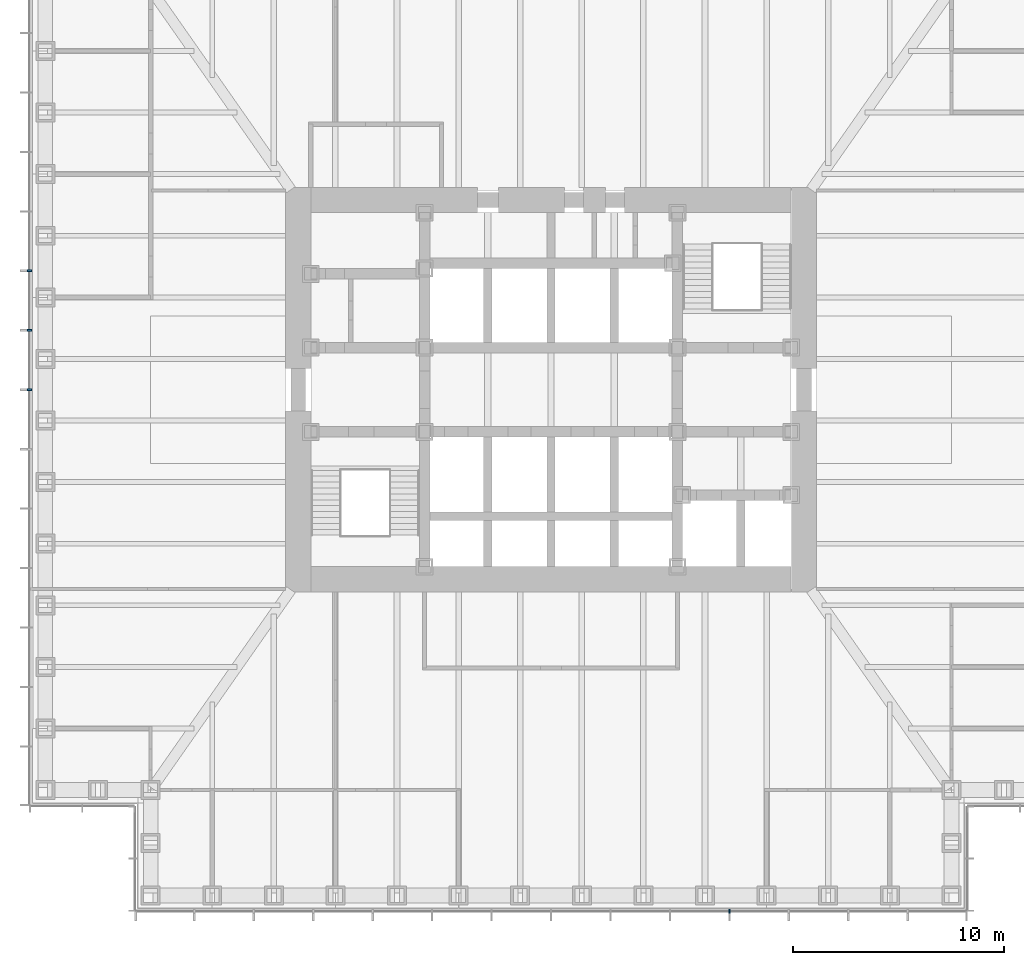
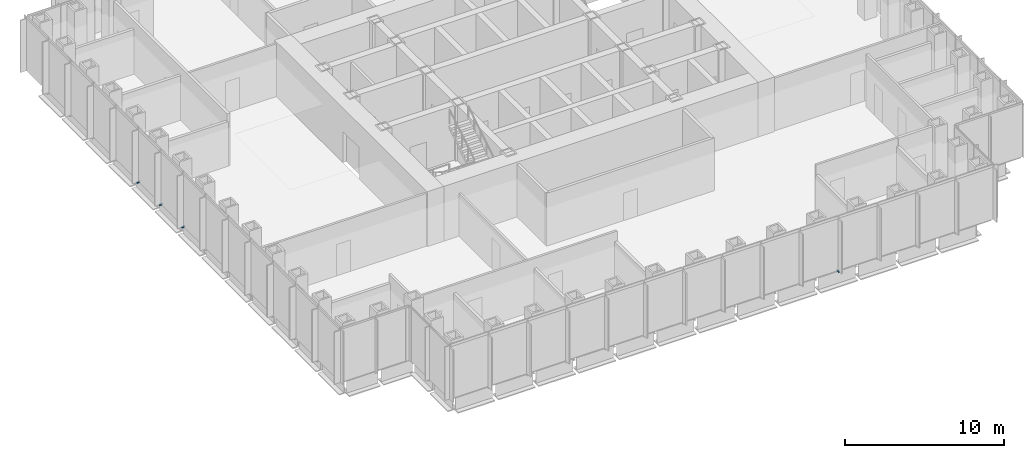
# One storey, part 13 of 17: 4 discrete accessories.
"""IFC4 building model written with IfcOpenShell, lengths in metres."""

import ifcopenshell
import ifcopenshell.guid

model = None  # the IFC model being written
_history = None  # IfcOwnerHistory: only IFC2X3 demands one
_inside = {}  # id of a spatial element -> (the spatial element, [elements in it])
_under = {}  # id of a project, library or spatial element -> (it, [spatial elements below it])
_declared = {}  # id of a project -> (the project, [libraries it declares])
_typed = {}  # id of a type object -> (the type object, [elements of that type])
_made_of = {}  # id of a material, layer set ... -> (it, [elements and type objects made of it])


def new_model(schema):
    """Start an empty IFC model of exactly this schema.

    Asked for "IFC4X3", IfcOpenShell would pick the latest addendum, in which some entities
    have other attributes; the version numbers below select the first issue.
    IFC2X3 requires an IfcOwnerHistory on every rooted entity: one is made here for all.
    """
    global model, _history
    if schema == "IFC4X3":
        model = ifcopenshell.file(schema_version=(4, 3, 0, 0))
    else:
        model = ifcopenshell.file(schema=schema)
    _inside.clear()
    _under.clear()
    _declared.clear()
    _typed.clear()
    _made_of.clear()
    _history = None
    if model.schema == "IFC2X3":
        org = make("IfcOrganization", Name="unknown")
        user = make(
            "IfcPersonAndOrganization",
            ThePerson=make("IfcPerson", FamilyName="unknown"),
            TheOrganization=org,
        )
        app = make(
            "IfcApplication",
            ApplicationDeveloper=org,
            Version="unknown",
            ApplicationFullName="unknown",
            ApplicationIdentifier="unknown",
        )
        _history = make(
            "IfcOwnerHistory",
            OwningUser=user,
            OwningApplication=app,
            ChangeAction="ADDED",
            CreationDate=0,
        )
    return model


def make(cls, **values):
    """One entity of the class cls with the attributes given. An attribute that is None is left unset."""
    return model.create_entity(
        cls, **{name: value for name, value in values.items() if value is not None}
    )


def rooted(cls, **values):
    """An entity with a GlobalId (a new one), such as an element, a storey or a relation."""
    return make(cls, GlobalId=ifcopenshell.guid.new(), OwnerHistory=_history, **values)


def si_unit(unit_type, name, prefix=None):
    """IfcSIUnit, for example si_unit("LENGTHUNIT", "METRE", prefix="MILLI")."""
    return make("IfcSIUnit", UnitType=unit_type, Prefix=prefix, Name=name)


def assignment(units):
    """IfcUnitAssignment: the units of a project."""
    return None if units is None else make("IfcUnitAssignment", Units=units)


def point(xyz):
    """IfcCartesianPoint."""
    return None if xyz is None else make("IfcCartesianPoint", Coordinates=xyz)


def direction(xyz):
    """IfcDirection."""
    return None if xyz is None else make("IfcDirection", DirectionRatios=xyz)


def frame(location, z_axis=None, x_axis=None):
    """IfcAxis2Placement3D, a coordinate frame: its origin and axes. An axis left out is left unset."""
    return make(
        "IfcAxis2Placement3D",
        Location=point(location),
        Axis=direction(z_axis),
        RefDirection=direction(x_axis),
    )


def frame_2d(location, x_axis=None):
    """IfcAxis2Placement2D, a coordinate frame in the plane: its origin and x axis."""
    return make(
        "IfcAxis2Placement2D", Location=point(location), RefDirection=direction(x_axis)
    )


def origin():
    """The frame at (0, 0, 0) with its axes left unset."""
    return frame((0.0, 0.0, 0.0))


def origin_2d():
    """The frame at (0, 0) in the plane with its x axis left unset."""
    return frame_2d((0.0, 0.0))


def place(relative_to, where):
    """IfcLocalPlacement: puts the frame where relative to a parent placement (None: the world)."""
    return make(
        "IfcLocalPlacement", PlacementRelTo=relative_to, RelativePlacement=where
    )


def context(
    kind, dimensions, precision=None, world=None, true_north=None, identifier=None
):
    """IfcGeometricRepresentationContext, for example the 3D "Model" context."""
    return make(
        "IfcGeometricRepresentationContext",
        ContextIdentifier=identifier,
        ContextType=kind,
        CoordinateSpaceDimension=dimensions,
        Precision=precision,
        WorldCoordinateSystem=world,
        TrueNorth=true_north,
    )


def subcontext(parent, identifier, kind, view, scale=None):
    """IfcGeometricRepresentationSubContext, for example "Body" below "Model"."""
    return make(
        "IfcGeometricRepresentationSubContext",
        ContextIdentifier=identifier,
        ContextType=kind,
        ParentContext=parent,
        TargetScale=scale,
        TargetView=view,
    )


def project(units=None, contexts=None):
    """IfcProject with its units and contexts."""
    return rooted(
        "IfcProject",
        Name="project",
        RepresentationContexts=contexts,
        UnitsInContext=assignment(units),
    )


def spatial(cls, under=None, at=None, **own):
    """A site, building, storey or space (cls), placed at a placement, below another one or the project."""
    s = rooted(cls, ObjectPlacement=at, **own)
    if under is not None:
        _under.setdefault(under.id(), (under, []))[1].append(s)
    return s


def profile(cls, at=None, kind="AREA", **sizes):
    """A parametric profile (cls). Its sizes go by their IFC names, for example OverallWidth=200.0."""
    return make(cls, ProfileType=kind, Position=at, **sizes)


def rectangle(**sizes):
    """IfcRectangleProfileDef."""
    return profile("IfcRectangleProfileDef", **sizes)


def extrude(swept, where, along, depth):
    """IfcExtrudedAreaSolid: the profile swept, set in the frame where, extruded along a direction by depth."""
    return make(
        "IfcExtrudedAreaSolid",
        SweptArea=swept,
        Position=where,
        ExtrudedDirection=direction(along),
        Depth=depth,
    )


def shape(context_of_items, identifier, shape_type, items):
    """IfcShapeRepresentation: the items that make up one representation, for example the "Body"."""
    return make(
        "IfcShapeRepresentation",
        ContextOfItems=context_of_items,
        RepresentationIdentifier=identifier,
        RepresentationType=shape_type,
        Items=items,
    )


def made_of(thing, what):
    """Note that an element or type object is made of a material, layer set ...; save() writes the relation."""
    if what is not None:
        _made_of.setdefault(what.id(), (what, []))[1].append(thing)
    return thing


def element(
    cls,
    number,
    at=None,
    inside=None,
    cuts=None,
    type_object=None,
    material=None,
    context=None,
    identifier="Body",
    shape_type=None,
    held_by="IfcProductDefinitionShape",
    body=None,
    shapes=None,
    **own,
):
    """One element of the class cls, such as IfcWall. Its Tag is "e" and its number.

    at: its placement. inside: the storey or other place that contains it. cuts: it is an
    opening in that element (IfcRelVoidsElement). A single representation is given by context,
    identifier, shape_type and body (its items); several are given by shapes. held_by: the class
    of the entity that holds the representations. save() writes the other relations.
    """
    e = rooted(cls, Tag="e%d" % number, ObjectPlacement=at, **own)
    if body is not None:
        shapes = [shape(context, identifier, shape_type, body)]
    if shapes is not None:
        e.Representation = make(held_by, Representations=shapes)
    if inside is not None:
        _inside.setdefault(inside.id(), (inside, []))[1].append(e)
    if cuts is not None:
        rooted(
            "IfcRelVoidsElement", RelatingBuildingElement=cuts, RelatedOpeningElement=e
        )
    if type_object is not None:
        _typed.setdefault(type_object.id(), (type_object, []))[1].append(e)
    return made_of(e, material)


def aggregate(whole, parts):
    """IfcRelAggregates: a whole, such as a stair, and the parts it consists of."""
    return rooted("IfcRelAggregates", RelatingObject=whole, RelatedObjects=parts)


def save(model, path):
    """Write the relations noted so far, then the file.

    IfcRelAggregates (storeys below a building ...), IfcRelContainedInSpatialStructure (elements
    in a storey), IfcRelDefinesByType, IfcRelAssociatesMaterial and IfcRelDeclares: one each for
    every whole, place, type object, material and project.
    """
    for whole, parts in _under.values():
        aggregate(whole, parts)
    for where, things in _inside.values():
        rooted(
            "IfcRelContainedInSpatialStructure",
            RelatedElements=things,
            RelatingStructure=where,
        )
    for kind, things in _typed.values():
        rooted("IfcRelDefinesByType", RelatedObjects=things, RelatingType=kind)
    for what, things in _made_of.values():
        rooted("IfcRelAssociatesMaterial", RelatedObjects=things, RelatingMaterial=what)
    for by, libraries in _declared.values():
        rooted("IfcRelDeclares", RelatingContext=by, RelatedDefinitions=libraries)
    model.write(path)


model = new_model("IFC4")

# Units and contexts
model_context = context("Model", 3, precision=1e-05, world=origin(), true_north=direction((0.0, 1.0)))
body_context = subcontext(model_context, "Body", "Model", "MODEL_VIEW")
ifc_project = project(units=[si_unit("LENGTHUNIT", "METRE"), si_unit("AREAUNIT", "SQUARE_METRE"), si_unit("VOLUMEUNIT", "CUBIC_METRE"), si_unit("PLANEANGLEUNIT", "RADIAN"), si_unit("MASSUNIT", "GRAM", prefix="KILO")], contexts=[model_context])

# Site, building, storey
site_placement = place(None, origin())
site = spatial("IfcSite", under=ifc_project, at=site_placement, CompositionType="ELEMENT")
building_placement = place(site_placement, origin())
building = spatial("IfcBuilding", under=site, at=building_placement, Name="Daluyong Arena Tower", CompositionType="ELEMENT")
storey_placement = place(building_placement, frame((0.0, 0.0, 85.300048828125)))
storey = spatial("IfcBuildingStorey", under=building, at=storey_placement, Name="L18", CompositionType="ELEMENT", Elevation=85.300048828125)

# Discrete accessories
for number, where, z_axis, x_axis, name in (
    (1, (64.46435546875, 55.25, -0.10009765625), (0.0, 0.0, 1.0), (1.0, 0.0, 0.0), "curtain wall L18 S anchor bracket 11"),
    (2, (31.25, 85.642822265625, -0.10009765625), (0.0, 0.0, 1.0), (0.0, -1.0, 0.0), "curtain wall L18 W anchor bracket 6"),
    (3, (31.25, 82.821533203125, -0.10009765625), (0.0, 0.0, 1.0), (0.0, -1.0, 0.0), "curtain wall L18 W anchor bracket 7"),
    (4, (31.25, 80.0, -0.10009765625), (0.0, 0.0, 1.0), (0.0, -1.0, 0.0), "curtain wall L18 W anchor bracket 8"),
):
    element("IfcDiscreteAccessory", number, at=place(storey_placement, frame(where, z_axis=z_axis, x_axis=x_axis)), inside=storey, Name=name, PredefinedType="BRACKET", context=body_context, shape_type="SweptSolid", body=[
        extrude(rectangle(XDim=0.080078125, YDim=0.199951171875, at=origin_2d()), origin(), (0.0, 0.0, 1.0), 0.10009765625),
    ])

save(model, "model.ifc")
